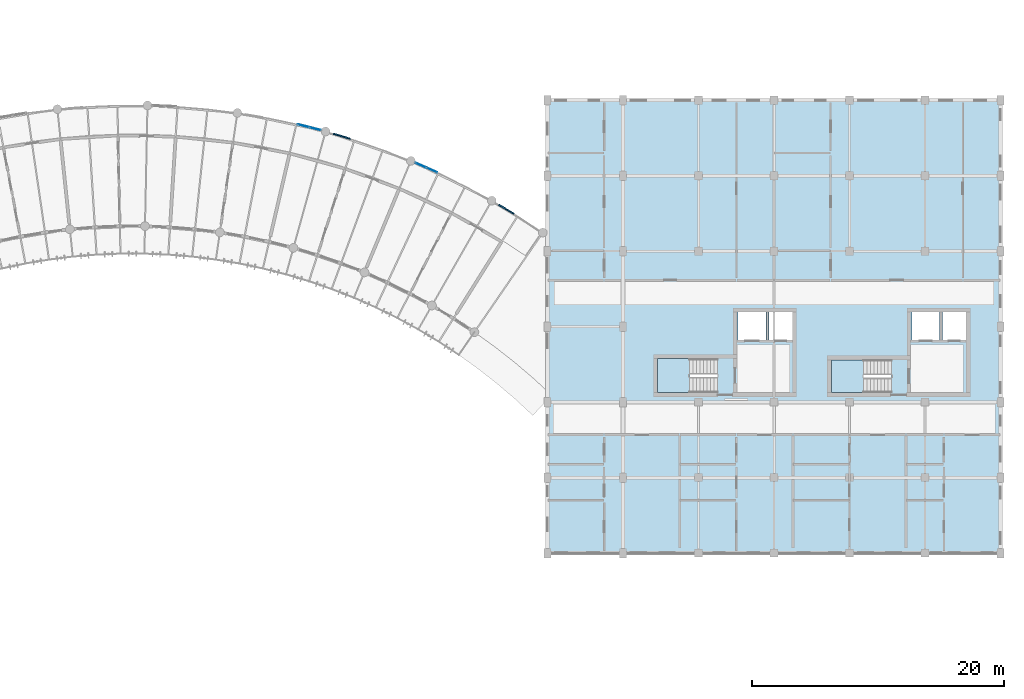
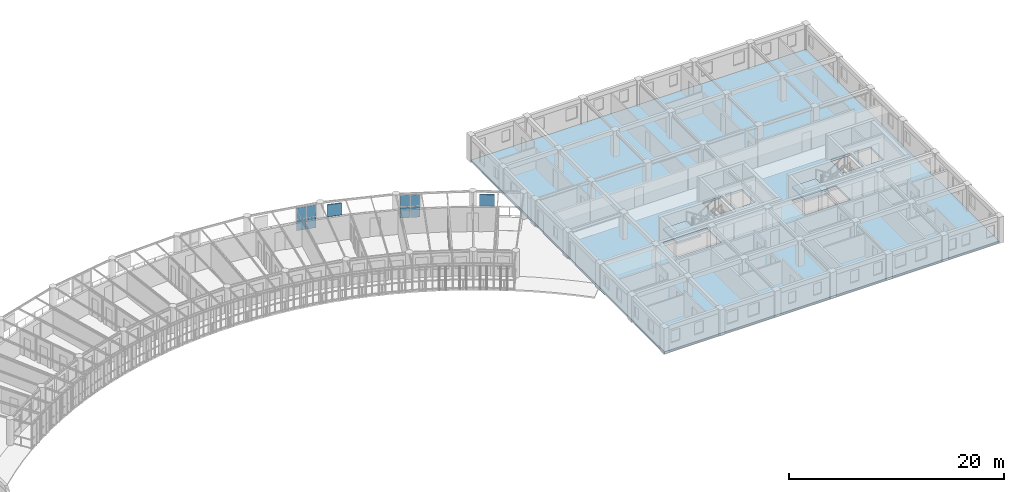
# One storey, part 50 of 100: 10 plates, 3 slabs, 4 elements without a shape of their own.
"""IFC4 building model written with IfcOpenShell, lengths in metres."""

from ifc_helpers import new_model, si_unit, direction, frame, origin, origin_2d, place, context, subcontext, project, spatial, polyline, rectangle, outline, extrude, material, layer, layer_set, type_object, element, aggregate, save


model = new_model("IFC4")

# Units and contexts
model_context = context("Model", 3, precision=1e-05, world=origin(), true_north=direction((0.0, 1.0)))
body_context = subcontext(model_context, "Body", "Model", "MODEL_VIEW")
ifc_project = project(units=[si_unit("LENGTHUNIT", "METRE"), si_unit("AREAUNIT", "SQUARE_METRE"), si_unit("VOLUMEUNIT", "CUBIC_METRE"), si_unit("PLANEANGLEUNIT", "RADIAN"), si_unit("MASSUNIT", "GRAM", prefix="KILO"), si_unit("POWERUNIT", "WATT"), si_unit("THERMODYNAMICTEMPERATUREUNIT", "KELVIN")], contexts=[model_context])

# Site, building, storey
site_placement = place(None, origin())
site = spatial("IfcSite", under=ifc_project, at=site_placement, CompositionType="ELEMENT")
building_placement = place(site_placement, origin())
building = spatial("IfcBuilding", under=site, at=building_placement, Name="Ruvembo Vaulted Housing Court", CompositionType="ELEMENT")
storey_placement = place(building_placement, frame((0.0, 0.0, 10.89990234375)))
storey = spatial("IfcBuildingStorey", under=building, at=storey_placement, Name="L03", CompositionType="ELEMENT", Elevation=10.89990234375)

# Curtain wall, plates
ifc_material_1 = material(Name="Anodised Aluminium and Solar-Control Glass", Category="aluminium")
ifc_layer_1 = layer(ifc_material_1, 0.139892578125, Name="Anodised Aluminium and Solar-Control Glass")
ifc_layer_set_1 = layer_set([ifc_layer_1], Name="Anodised Aluminium and Solar-Control Glass")
curtain_wall_type = type_object("IfcCurtainWallType", Name="CW-SCOOP-PAN", PredefinedType="NOTDEFINED", material=ifc_layer_set_1)
curtain_wall_1_placement = place(storey_placement, origin())
curtain_wall_1 = element("IfcCurtainWall", 1, at=curtain_wall_1_placement, inside=storey, type_object=curtain_wall_type, Name="L03 Curtain Wall CW-L03-0075", PredefinedType="NOTDEFINED")
ifc_material_2 = material(Name="Solar-Control Laminated Insulating Glass", Category="glass")
ifc_layer_2 = layer(ifc_material_2, 0.035888671875, Name="Solar-Control Laminated Insulating Glass")
ifc_layer_set_2 = layer_set([ifc_layer_2], Name="Solar-Control Laminated Insulating Glass")
plate_type_1 = type_object("IfcPlateType", Name="CW-PANEL-ACOUST", PredefinedType="CURTAIN_PANEL", material=ifc_layer_set_2)
plate_1_placement = place(storey_placement, frame((130.580810546875, 105.967041015625, 0.06005859375), z_axis=(0.0, 0.0, 1.0), x_axis=(0.969147586916, -0.246481144869, 0.0)))
plate_1 = element("IfcPlate", 2, at=plate_1_placement, type_object=plate_type_1, Name="CW10 panel 1.1", PredefinedType="CURTAIN_PANEL", context=body_context, shape_type="SweptSolid", body=[
    extrude(rectangle(XDim=0.912841796875, YDim=0.035888671875, at=origin_2d()), origin(), (0.0, 0.0, 1.0), 1.259033203125),
])
plate_2_placement = place(storey_placement, frame((130.580810546875, 105.967041015625, 1.37890625), z_axis=(0.0, 0.0, 1.0), x_axis=(0.969147586916, -0.246481144869, 0.0)))
plate_2 = element("IfcPlate", 3, at=plate_2_placement, type_object=plate_type_1, Name="CW10 panel 1.2", PredefinedType="CURTAIN_PANEL", context=body_context, shape_type="SweptSolid", body=[
    extrude(rectangle(XDim=0.912841796875, YDim=0.035888671875, at=origin_2d()), origin(), (0.0, 0.0, 1.0), 1.259033203125),
])
plate_3_placement = place(storey_placement, frame((131.518798828125, 105.728271484375, 0.06005859375), z_axis=(0.0, 0.0, 1.0), x_axis=(0.969147586916, -0.246481144869, 0.0)))
plate_3 = element("IfcPlate", 4, at=plate_3_placement, type_object=plate_type_1, Name="CW10 panel 2.1", PredefinedType="CURTAIN_PANEL", context=body_context, shape_type="SweptSolid", body=[
    extrude(rectangle(XDim=0.912841796875, YDim=0.035888671875, at=origin_2d()), origin(), (0.0, 0.0, 1.0), 1.259033203125),
])
plate_4_placement = place(storey_placement, frame((131.518798828125, 105.728271484375, 1.37890625), z_axis=(0.0, 0.0, 1.0), x_axis=(0.969147586916, -0.246481144869, 0.0)))
plate_4 = element("IfcPlate", 5, at=plate_4_placement, type_object=plate_type_1, Name="CW10 panel 2.2", PredefinedType="CURTAIN_PANEL", context=body_context, shape_type="SweptSolid", body=[
    extrude(rectangle(XDim=0.912841796875, YDim=0.035888671875, at=origin_2d()), origin(), (0.0, 0.0, 1.0), 1.259033203125),
])
aggregate(curtain_wall_1, [plate_1, plate_2, plate_3, plate_4])

curtain_wall_2_placement = place(storey_placement, origin())
curtain_wall_2 = element("IfcCurtainWall", 6, at=curtain_wall_2_placement, inside=storey, type_object=curtain_wall_type, Name="L03 Curtain Wall CW-L03-0076", PredefinedType="NOTDEFINED")
ifc_layer_3 = layer(ifc_material_2, 0.031982421875, Name="Solar-Control Laminated Insulating Glass")
ifc_layer_set_3 = layer_set([ifc_layer_3], Name="Solar-Control Laminated Insulating Glass")
plate_type_2 = type_object("IfcPlateType", Name="CW-PANEL-SOLAR", PredefinedType="CURTAIN_PANEL", material=ifc_layer_set_3)
plate_5_placement = place(storey_placement, frame((139.919921875, 102.8310546875, 0.065185546875), z_axis=(0.0, 0.0, 1.0), x_axis=(0.91508304425, -0.403265448713, 0.0)))
plate_5 = element("IfcPlate", 7, at=plate_5_placement, type_object=plate_type_2, Name="CW10 panel 1.1", PredefinedType="CURTAIN_PANEL", context=body_context, shape_type="SweptSolid", body=[
    extrude(rectangle(XDim=0.9052734375, YDim=0.031982421875, at=origin_2d()), origin(), (0.0, 0.0, 1.0), 1.25146484375),
])
plate_6_placement = place(storey_placement, frame((139.919921875, 102.8310546875, 1.381591796875), z_axis=(0.0, 0.0, 1.0), x_axis=(0.91508304425, -0.403265448713, 0.0)))
plate_6 = element("IfcPlate", 8, at=plate_6_placement, type_object=plate_type_2, Name="CW10 panel 1.2", PredefinedType="CURTAIN_PANEL", context=body_context, shape_type="SweptSolid", body=[
    extrude(rectangle(XDim=0.9052734375, YDim=0.031982421875, at=origin_2d()), origin(), (0.0, 0.0, 1.0), 1.25146484375),
])
plate_7_placement = place(storey_placement, frame((140.80322265625, 102.441650390625, 0.065185546875), z_axis=(0.0, 0.0, 1.0), x_axis=(0.91508304425, -0.403265448713, 0.0)))
plate_7 = element("IfcPlate", 9, at=plate_7_placement, type_object=plate_type_2, Name="CW10 panel 2.1", PredefinedType="CURTAIN_PANEL", context=body_context, shape_type="SweptSolid", body=[
    extrude(rectangle(XDim=0.9052734375, YDim=0.031982421875, at=origin_2d()), origin(), (0.0, 0.0, 1.0), 1.25146484375),
])
plate_8_placement = place(storey_placement, frame((140.80322265625, 102.441650390625, 1.381591796875), z_axis=(0.0, 0.0, 1.0), x_axis=(0.91508304425, -0.403265448713, 0.0)))
plate_8 = element("IfcPlate", 10, at=plate_8_placement, type_object=plate_type_2, Name="CW10 panel 2.2", PredefinedType="CURTAIN_PANEL", context=body_context, shape_type="SweptSolid", body=[
    extrude(rectangle(XDim=0.9052734375, YDim=0.031982421875, at=origin_2d()), origin(), (0.0, 0.0, 1.0), 1.25146484375),
])
aggregate(curtain_wall_2, [plate_5, plate_6, plate_7, plate_8])

# Plates
ifc_material_3 = material(Name="Perforated Glazed Ceramic Cobogo Block", Category="ceramic")
ifc_layer_4 = layer(ifc_material_3, 0.1201171875, Name="Perforated Glazed Ceramic Cobogo Block")
ifc_layer_set_4 = layer_set([ifc_layer_4], Name="Perforated Glazed Ceramic Cobogo Block")
plate_type_3 = type_object("IfcPlateType", Name="PL-COBOGO-120", PredefinedType="USERDEFINED", material=ifc_layer_set_4)
for number, where, z_axis, x_axis, name in (
    (11, (133.642578125, 105.130615234375, 1.1201171875), (0.0, 0.0, 1.0), (0.958077900113, -0.286507831158, 0.0), "Scoop SC3 L03 Ceramic Cobogo Screen #93"),
    (12, (146.718505859375, 99.3271484375, 1.1201171875), (0.0, 0.0, 1.0), (0.857894561819, -0.513825768915, 0.0), "Scoop SC3 L03 Ceramic Cobogo Screen #94"),
):
    element("IfcPlate", number, at=place(storey_placement, frame(where, z_axis=z_axis, x_axis=x_axis)), inside=storey, type_object=plate_type_3, Name=name, ObjectType="COBOGO_PANEL", PredefinedType="USERDEFINED", context=body_context, shape_type="SweptSolid", body=[
        extrude(rectangle(XDim=1.39990234375, YDim=0.1201171875, at=origin_2d()), origin(), (0.0, 0.0, 1.0), 1.360107421875),
    ])

# Slab
ifc_material_4 = material(Name="Concrete C30/37", Category="concrete")
ifc_layer_5 = layer(ifc_material_4, 0.2451171875, Name="Concrete C30/37")
ifc_layer_set_5 = layer_set([ifc_layer_5], Name="Concrete C30/37")
slab_type_1 = type_object("IfcSlabType", Name="SL-FLR-245", PredefinedType="FLOOR", material=ifc_layer_set_5)
slab_1_placement = place(storey_placement, frame((0.0, 0.0, -0.244873046875)))
element("IfcSlab", 13, at=slab_1_placement, inside=storey, type_object=slab_type_1, Name="Block D L03 Structural Floor Slab", PredefinedType="FLOOR", context=body_context, shape_type="SweptSolid", body=[
    extrude(outline(polyline([(186.0, 72.0), (186.0, 108.0), (150.0, 108.0), (150.0, 72.0), (186.0, 72.0)]), holes=[polyline([(163.5, 87.449951171875), (158.75, 87.449951171875), (158.75, 84.75), (163.5, 84.75), (163.5, 87.449951171875)]), polyline([(165.14990234375, 88.85009765625), (167.35009765625, 88.85009765625), (167.35009765625, 91.25), (165.14990234375, 91.25), (165.14990234375, 88.85009765625)]), polyline([(167.60009765625, 88.85009765625), (169.449951171875, 88.85009765625), (169.449951171875, 91.25), (167.60009765625, 91.25), (167.60009765625, 88.85009765625)]), polyline([(177.35009765625, 87.35009765625), (172.550048828125, 87.35009765625), (172.550048828125, 84.75), (177.35009765625, 84.75), (177.35009765625, 87.35009765625)]), polyline([(178.949951171875, 88.85009765625), (181.14990234375, 88.85009765625), (181.14990234375, 91.25), (178.949951171875, 91.25), (178.949951171875, 88.85009765625)]), polyline([(181.39990234375, 88.85009765625), (183.25, 88.85009765625), (183.25, 91.25), (181.39990234375, 91.25), (181.39990234375, 88.85009765625)])]), origin(), (0.0, 0.0, 1.0), 0.244873046875),
])

# Stair, slab
ifc_material_5 = material(Name="Concrete C35/45", Category="concrete")
stair_type_1 = type_object("IfcStairType", Name="STR-CORE-1250", PredefinedType="HALF_TURN_STAIR", material=ifc_material_5)
stair_1_placement = place(storey_placement, origin())
stair_1 = element("IfcStair", 14, at=stair_1_placement, inside=storey, type_object=stair_type_1, Name="L03 Protected Exit Stair ST-D1", PredefinedType="HALF_TURN_STAIR")
ifc_layer_6 = layer(ifc_material_4, 0.201904296875, Name="Concrete C30/37")
ifc_layer_set_6 = layer_set([ifc_layer_6], Name="Concrete C30/37")
slab_type_2 = type_object("IfcSlabType", Name="SL-LAND-202", PredefinedType="LANDING", material=ifc_layer_set_6)
slab_2_placement = place(storey_placement, frame((0.0, 0.0, 1.400146484375)))
slab_2 = element("IfcSlab", 15, at=slab_2_placement, type_object=slab_type_2, Name="ST-D1 landing 1", PredefinedType="LANDING", context=body_context, shape_type="SweptSolid", body=[
    extrude(outline(polyline([(161.260009765625, 87.449951171875), (158.75, 87.449951171875), (158.75, 84.75), (161.260009765625, 84.75), (161.260009765625, 87.449951171875)])), origin(), (0.0, 0.0, 1.0), 0.199951171875),
])
aggregate(stair_1, [slab_2])

stair_type_2 = type_object("IfcStairType", Name="STR-CORE-1200", PredefinedType="HALF_TURN_STAIR", material=ifc_material_5)
stair_2_placement = place(storey_placement, origin())
stair_2 = element("IfcStair", 16, at=stair_2_placement, inside=storey, type_object=stair_type_2, Name="L03 Protected Exit Stair ST-D2", PredefinedType="HALF_TURN_STAIR")
slab_3_placement = place(storey_placement, frame((0.0, 0.0, 1.400146484375)))
slab_3 = element("IfcSlab", 17, at=slab_3_placement, type_object=slab_type_2, Name="ST-D2 landing 1", PredefinedType="LANDING", context=body_context, shape_type="SweptSolid", body=[
    extrude(outline(polyline([(175.110107421875, 87.35009765625), (172.550048828125, 87.35009765625), (172.550048828125, 84.75), (175.110107421875, 84.75), (175.110107421875, 87.35009765625)])), origin(), (0.0, 0.0, 1.0), 0.199951171875),
])
aggregate(stair_2, [slab_3])

save(model, "model.ifc")
